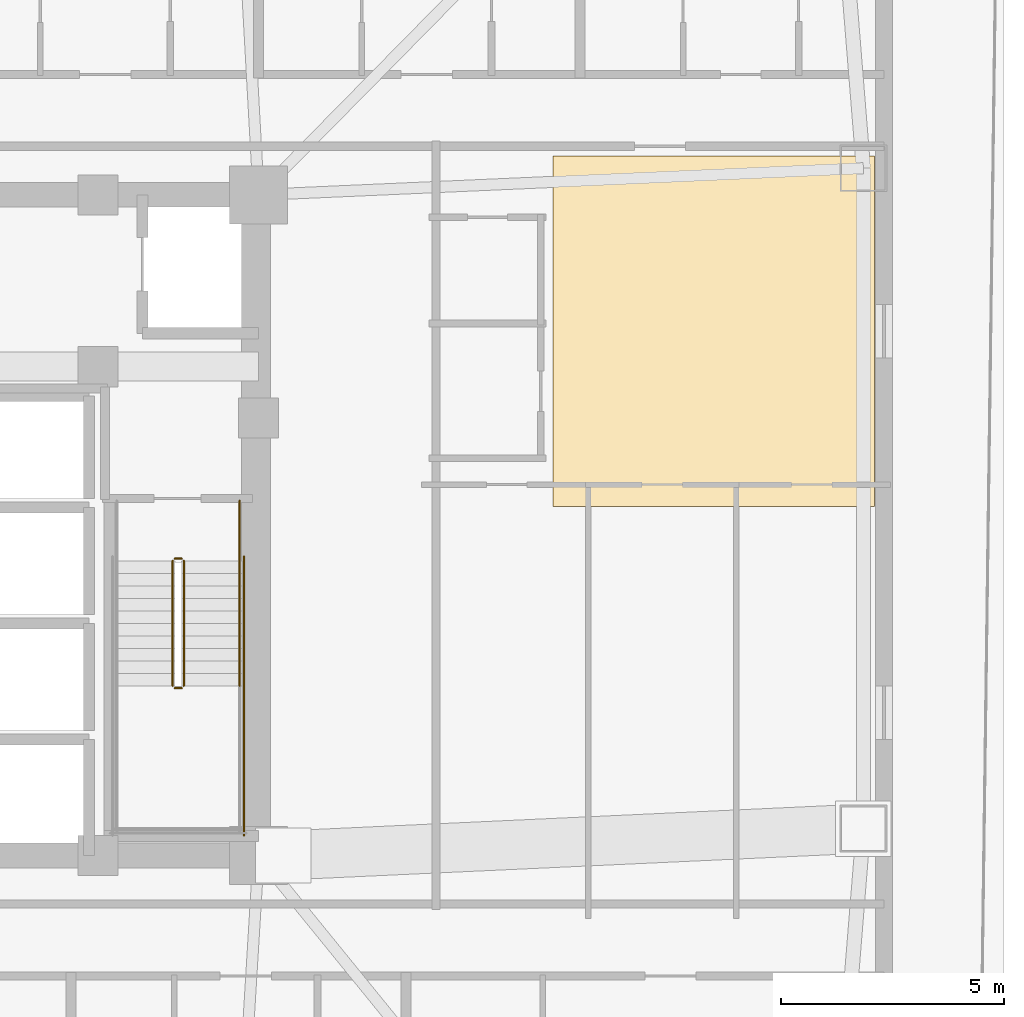
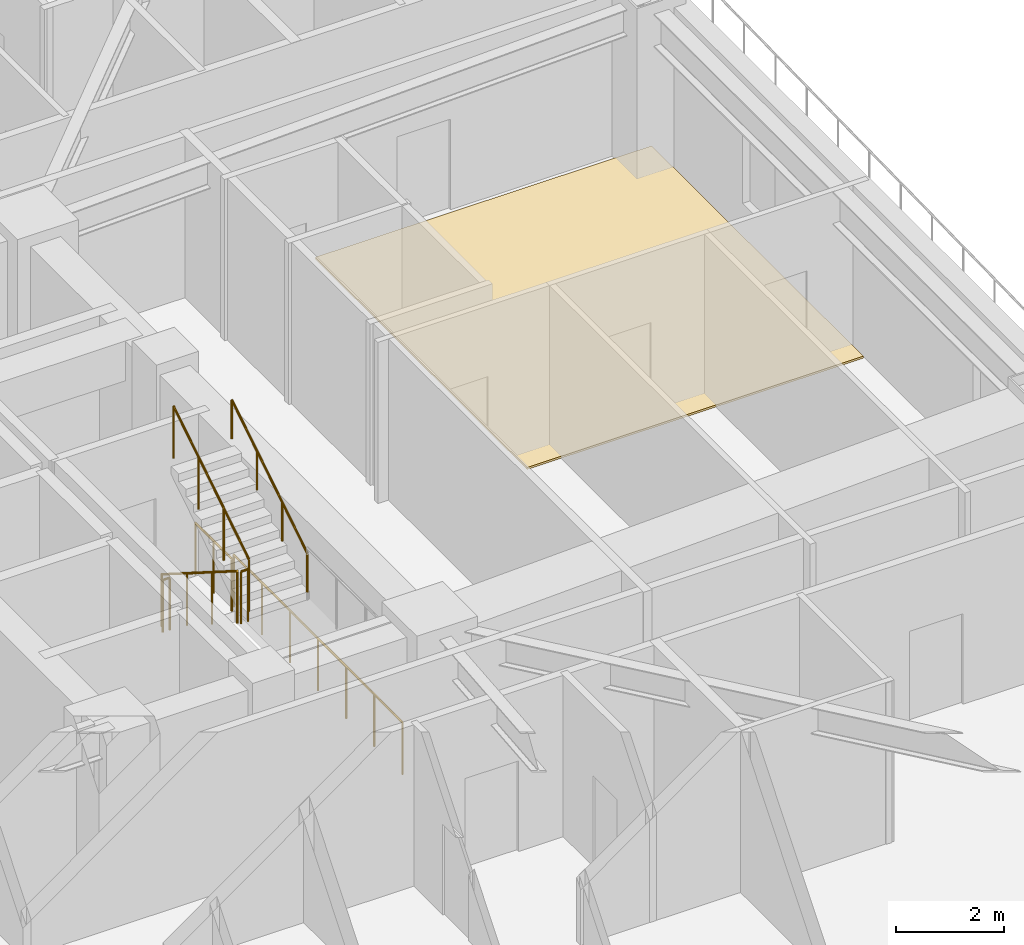
# One storey, part 15 of 16: 7 railings, 1 covering.
"""IFC4 building model written with IfcOpenShell, lengths in metres."""

from ifc_helpers import new_model, si_unit, direction, frame, origin, origin_2d, place, context, subcontext, project, spatial, polyline, circle, outline, extrude, material, layer, layer_set, type_object, element, save


model = new_model("IFC4")

# Units and contexts
model_context = context("Model", 3, precision=1e-05, world=origin(), true_north=direction((0.0, 1.0)))
body_context = subcontext(model_context, "Body", "Model", "MODEL_VIEW")
ifc_project = project(units=[si_unit("LENGTHUNIT", "METRE"), si_unit("AREAUNIT", "SQUARE_METRE"), si_unit("VOLUMEUNIT", "CUBIC_METRE"), si_unit("PLANEANGLEUNIT", "RADIAN"), si_unit("MASSUNIT", "GRAM", prefix="KILO")], contexts=[model_context])

# Site, building, storey
site_placement = place(None, origin())
site = spatial("IfcSite", under=ifc_project, at=site_placement, CompositionType="ELEMENT")
building_placement = place(site_placement, origin())
building = spatial("IfcBuilding", under=site, at=building_placement, Name="Voryun Gate Residences", CompositionType="ELEMENT")
storey_placement = place(building_placement, frame((0.0, 0.0, 113.10009765625)))
storey = spatial("IfcBuildingStorey", under=building, at=storey_placement, Name="L27", CompositionType="ELEMENT", Elevation=113.10009765625)

# Covering
ifc_material_1 = material(Name="Architectural oak flooring")
ifc_layer = layer(ifc_material_1, 0.044921875, Name="COV_FLOOR_ONDOL_OAK")
ifc_layer_set = layer_set([ifc_layer], Name="Architectural oak flooring")
covering_type = type_object("IfcCoveringType", Name="COV_FLOOR_ONDOL_OAK", PredefinedType="FLOORING", material=ifc_layer_set)
covering_placement = place(storey_placement, origin())
element("IfcCovering", 1, at=covering_placement, inside=storey, type_object=covering_type, Name="Ondol oak floor FLR-L27-01", PredefinedType="FLOORING", context=body_context, shape_type="SweptSolid", body=[
    extrude(outline(polyline([(25.800048828125, 0.419921875), (25.800048828125, 8.27001953125), (32.99755859375, 8.27001953125), (32.99755859375, 0.419921875), (25.800048828125, 0.419921875)])), origin(), (0.0, 0.0, 1.0), 0.044921875),
])

# Railings
ifc_material_2 = material(Name="Painted steel", Category="steel")
railing_type_1 = type_object("IfcRailingType", Name="RAIL_STAIR_GUARD_1200", PredefinedType="GUARDRAIL", material=ifc_material_2)
railing_1_placement = place(storey_placement, frame((17.27490234375, -0.800048828125, 0.17724609375)))
element("IfcRailing", 2, at=railing_1_placement, inside=storey, type_object=railing_type_1, Name="L27 ST-E1 stair guard 1", PredefinedType="GUARDRAIL", context=body_context, shape_type="SweptSolid", body=[
    extrude(circle(Radius=0.02392578125, at=origin_2d()), frame((0.0, 0.0, 1.17578125), z_axis=(0.0, -0.844908973607, 0.534910110503), x_axis=(1.0, 0.0, 0.0)), (0.0, 0.0, 1.0), 3.31396484375),
    extrude(circle(Radius=0.02099609375, at=origin_2d()), origin(), (0.0, 0.0, 1.0), 1.15185546875),
    extrude(circle(Radius=0.02099609375, at=origin_2d()), frame((0.0, -0.933349609375, 0.5908203125)), (0.0, 0.0, 1.0), 1.15185546875),
    extrude(circle(Radius=0.02099609375, at=origin_2d()), frame((0.0, -1.86669921875, 1.181884765625)), (0.0, 0.0, 1.0), 1.15185546875),
    extrude(circle(Radius=0.02099609375, at=origin_2d()), frame((0.0, -2.800048828125, 1.772705078125)), (0.0, 0.0, 1.0), 1.15185546875),
])
railing_2_placement = place(storey_placement, frame((17.324951171875, -3.64990234375, 1.949951171875)))
element("IfcRailing", 3, at=railing_2_placement, inside=storey, type_object=railing_type_1, Name="L27 ST-E1 stair guard 2", PredefinedType="GUARDRAIL", context=body_context, shape_type="SweptSolid", body=[
    extrude(circle(Radius=0.02392578125, at=origin_2d()), frame((0.0, 0.0, 1.17578125), z_axis=(1.0, 0.0, 0.0), x_axis=(0.0, 1.0, 0.0)), (0.0, 0.0, 1.0), 0.150146484375),
    extrude(circle(Radius=0.02099609375, at=origin_2d()), origin(), (0.0, 0.0, 1.0), 1.15185546875),
    extrude(circle(Radius=0.02099609375, at=origin_2d()), frame((0.150146484375, 0.0, 0.0)), (0.0, 0.0, 1.0), 1.15185546875),
])
railing_3_placement = place(storey_placement, frame((17.52490234375, -3.60009765625, 2.127197265625)))
element("IfcRailing", 4, at=railing_3_placement, inside=storey, type_object=railing_type_1, Name="L27 ST-E1 stair guard 6", PredefinedType="GUARDRAIL", context=body_context, shape_type="SweptSolid", body=[
    extrude(circle(Radius=0.02392578125, at=origin_2d()), frame((0.0, 0.0, 1.17578125), z_axis=(0.0, 0.844908973607, 0.534910110503), x_axis=(-1.0, 0.0, 0.0)), (0.0, 0.0, 1.0), 3.31396484375),
    extrude(circle(Radius=0.02099609375, at=origin_2d()), origin(), (0.0, 0.0, 1.0), 1.15185546875),
    extrude(circle(Radius=0.02099609375, at=origin_2d()), frame((0.0, 0.933349609375, 0.5908203125)), (0.0, 0.0, 1.0), 1.15185546875),
    extrude(circle(Radius=0.02099609375, at=origin_2d()), frame((0.0, 1.86669921875, 1.181884765625)), (0.0, 0.0, 1.0), 1.15185546875),
    extrude(circle(Radius=0.02099609375, at=origin_2d()), frame((0.0, 2.800048828125, 1.772705078125)), (0.0, 0.0, 1.0), 1.15185546875),
])
railing_4_placement = place(storey_placement, frame((17.324951171875, -0.75, 0.0)))
element("IfcRailing", 5, at=railing_4_placement, inside=storey, type_object=railing_type_1, Name="L27 ST-E1 stair guard 7", PredefinedType="GUARDRAIL", context=body_context, shape_type="SweptSolid", body=[
    extrude(circle(Radius=0.02392578125, at=origin_2d()), frame((0.0, 0.0, 1.17578125), z_axis=(1.0, 0.0, 0.0), x_axis=(0.0, 1.0, 0.0)), (0.0, 0.0, 1.0), 0.150146484375),
    extrude(circle(Radius=0.02099609375, at=origin_2d()), origin(), (0.0, 0.0, 1.0), 1.15185546875),
    extrude(circle(Radius=0.02099609375, at=origin_2d()), frame((0.150146484375, 0.0, 0.0)), (0.0, 0.0, 1.0), 1.15185546875),
])
railing_5_placement = place(storey_placement, frame((18.77490234375, 0.550048828125, 0.0)))
element("IfcRailing", 6, at=railing_5_placement, inside=storey, type_object=railing_type_1, Name="L27 ST-E1 stair guard 9", PredefinedType="GUARDRAIL", context=body_context, shape_type="SweptSolid", body=[
    extrude(circle(Radius=0.02392578125, at=origin_2d()), frame((0.0, 0.0, 1.17578125), z_axis=(0.0, -1.0, 0.0), x_axis=(1.0, 0.0, 0.0)), (0.0, 0.0, 1.0), 1.35009765625),
    extrude(circle(Radius=0.02099609375, at=origin_2d()), origin(), (0.0, 0.0, 1.0), 1.15185546875),
    extrude(circle(Radius=0.02099609375, at=origin_2d()), frame((0.0, -0.675048828125, 0.0)), (0.0, 0.0, 1.0), 1.15185546875),
    extrude(circle(Radius=0.02099609375, at=origin_2d()), frame((0.0, -1.35009765625, 0.0)), (0.0, 0.0, 1.0), 1.15185546875),
])
railing_6_placement = place(storey_placement, frame((18.875, -0.699951171875, 0.0)))
element("IfcRailing", 7, at=railing_6_placement, inside=storey, type_object=railing_type_1, Name="L27 ST-E1 stair guard 11", PredefinedType="GUARDRAIL", context=body_context, shape_type="SweptSolid", body=[
    extrude(circle(Radius=0.02392578125, at=origin_2d()), frame((0.0, 0.0, 1.17578125), z_axis=(0.0, -1.0, 0.0), x_axis=(1.0, 0.0, 0.0)), (0.0, 0.0, 1.0), 6.25),
    extrude(circle(Radius=0.02099609375, at=origin_2d()), origin(), (0.0, 0.0, 1.0), 1.15185546875),
    extrude(circle(Radius=0.02099609375, at=origin_2d()), frame((0.0, -1.041748046875, 0.0)), (0.0, 0.0, 1.0), 1.15185546875),
    extrude(circle(Radius=0.02099609375, at=origin_2d()), frame((0.0, -2.083251953125, 0.0)), (0.0, 0.0, 1.0), 1.15185546875),
    extrude(circle(Radius=0.02099609375, at=origin_2d()), frame((0.0, -3.125, 0.0)), (0.0, 0.0, 1.0), 1.15185546875),
    extrude(circle(Radius=0.02099609375, at=origin_2d()), frame((0.0, -4.166748046875, 0.0)), (0.0, 0.0, 1.0), 1.15185546875),
    extrude(circle(Radius=0.02099609375, at=origin_2d()), frame((0.0, -5.208251953125, 0.0)), (0.0, 0.0, 1.0), 1.15185546875),
    extrude(circle(Radius=0.02099609375, at=origin_2d()), frame((0.0, -6.25, 0.0)), (0.0, 0.0, 1.0), 1.15185546875),
])
ifc_material_3 = material(Name="Painted steel", Category="steel")
railing_type_2 = type_object("IfcRailingType", Name="RAIL_STAIR_HANDRAIL_900", PredefinedType="HANDRAIL", material=ifc_material_3)
railing_7_placement = place(storey_placement, frame((18.77490234375, -3.60009765625, 2.127197265625)))
element("IfcRailing", 8, at=railing_7_placement, inside=storey, type_object=railing_type_2, Name="L27 ST-E1 stair handrail 2", PredefinedType="HANDRAIL", context=body_context, shape_type="SweptSolid", body=[
    extrude(circle(Radius=0.02392578125, at=origin_2d()), frame((0.0, 0.0, 0.8759765625), z_axis=(0.0, 0.844908973607, 0.534910110503), x_axis=(-1.0, 0.0, 0.0)), (0.0, 0.0, 1.0), 3.31396484375),
    extrude(circle(Radius=0.02099609375, at=origin_2d()), origin(), (0.0, 0.0, 1.0), 0.851806640625),
    extrude(circle(Radius=0.02099609375, at=origin_2d()), frame((0.0, 0.933349609375, 0.5908203125)), (0.0, 0.0, 1.0), 0.851806640625),
    extrude(circle(Radius=0.02099609375, at=origin_2d()), frame((0.0, 1.86669921875, 1.181884765625)), (0.0, 0.0, 1.0), 0.851806640625),
    extrude(circle(Radius=0.02099609375, at=origin_2d()), frame((0.0, 2.800048828125, 1.772705078125)), (0.0, 0.0, 1.0), 0.851806640625),
])

save(model, "model.ifc")
